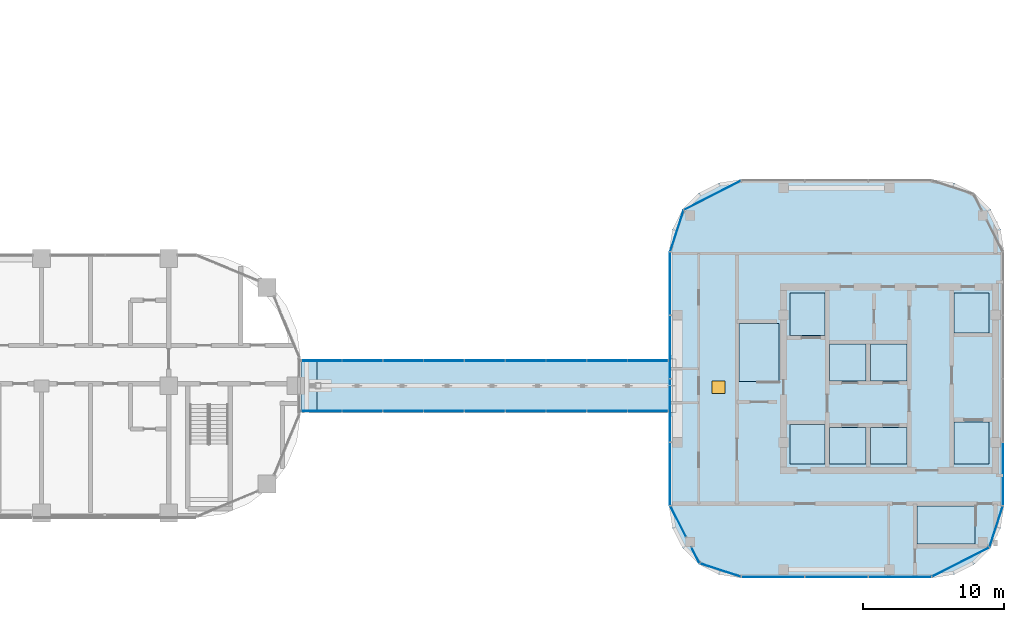
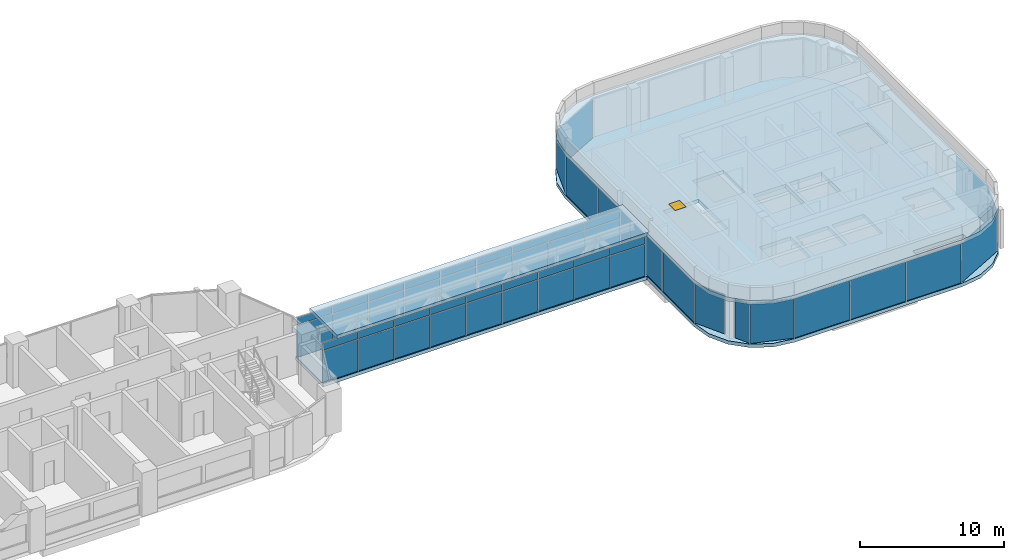
# One storey, part 16 of 33: 51 plates, 4 slabs, 1 window, 1 opening, 9 elements without a shape of their own.
"""IFC4 building model written with IfcOpenShell, lengths in metres."""

from ifc_helpers import new_model, si_unit, direction, frame, origin, origin_2d, place, context, subcontext, project, spatial, polyline, rectangle, outline, extrude, material, layer, layer_set, type_object, element, fill, aggregate, save


model = new_model("IFC4")

# Units and contexts
model_context = context("Model", 3, precision=1e-05, world=origin(), true_north=direction((0.0, 1.0)))
body_context = subcontext(model_context, "Body", "Model", "MODEL_VIEW")
ifc_project = project(units=[si_unit("LENGTHUNIT", "METRE"), si_unit("AREAUNIT", "SQUARE_METRE"), si_unit("VOLUMEUNIT", "CUBIC_METRE"), si_unit("PLANEANGLEUNIT", "RADIAN"), si_unit("MASSUNIT", "GRAM", prefix="KILO")], contexts=[model_context])

# Site, building, storey
site_placement = place(None, origin())
site = spatial("IfcSite", under=ifc_project, at=site_placement, CompositionType="ELEMENT")
building_placement = place(site_placement, origin())
building = spatial("IfcBuilding", under=site, at=building_placement, Name="Ogive Portal Towers", CompositionType="ELEMENT")
storey_placement = place(building_placement, frame((0.0, 0.0, 101.89990234375)))
storey = spatial("IfcBuildingStorey", under=building, at=storey_placement, Name="L24", CompositionType="ELEMENT", Elevation=101.89990234375)

# Curtain wall, plates
ifc_material_1 = material(Name="Glass, clear low-iron insulated glazing", Category="glass")
curtain_wall_type_1 = type_object("IfcCurtainWallType", Name="CW RESIDENCES RIBBON", PredefinedType="NOTDEFINED", material=ifc_material_1)
curtain_wall_1_placement = place(storey_placement, origin())
curtain_wall_1 = element("IfcCurtainWall", 1, at=curtain_wall_1_placement, inside=storey, type_object=curtain_wall_type_1, Name="B:L24:f02:cw0", PredefinedType="NOTDEFINED")
ifc_layer_1 = layer(ifc_material_1, 0.028076171875)
ifc_layer_set_1 = layer_set([ifc_layer_1], Name="CW PANEL IGU 28")
plate_type_1 = type_object("IfcPlateType", Name="CW PANEL IGU 28", PredefinedType="CURTAIN_PANEL", material=ifc_layer_set_1)
plate_1_placement = place(storey_placement, frame((128.25634765625, 16.97998046875, 0.0), z_axis=(0.0, 0.0, 1.0), x_axis=(1.0, 0.0, 0.0)))
plate_1 = element("IfcPlate", 2, at=plate_1_placement, type_object=plate_type_1, Name="panel", PredefinedType="CURTAIN_PANEL", context=body_context, shape_type="SweptSolid", body=[
    extrude(rectangle(XDim=4.42724609375, YDim=0.028076171875, at=origin_2d()), origin(), (0.0, 0.0, 1.0), 3.340087890625),
])
plate_2_placement = place(storey_placement, frame((132.75, 16.97998046875, 0.0), z_axis=(0.0, 0.0, 1.0), x_axis=(1.0, 0.0, 0.0)))
plate_2 = element("IfcPlate", 3, at=plate_2_placement, type_object=plate_type_1, Name="panel", PredefinedType="CURTAIN_PANEL", context=body_context, shape_type="SweptSolid", body=[
    extrude(rectangle(XDim=4.43994140625, YDim=0.028076171875, at=origin_2d()), origin(), (0.0, 0.0, 1.0), 3.340087890625),
])
plate_3_placement = place(storey_placement, frame((137.240478515625, 16.97998046875, 0.0), z_axis=(0.0, 0.0, 1.0), x_axis=(1.0, 0.0, 0.0)))
plate_3 = element("IfcPlate", 4, at=plate_3_placement, type_object=plate_type_1, Name="panel", PredefinedType="CURTAIN_PANEL", context=body_context, shape_type="SweptSolid", body=[
    extrude(rectangle(XDim=4.4208984375, YDim=0.028076171875, at=origin_2d()), origin(), (0.0, 0.0, 1.0), 3.340087890625),
])
aggregate(curtain_wall_1, [plate_1, plate_2, plate_3])

# Curtain wall, plate
curtain_wall_2_placement = place(storey_placement, origin())
curtain_wall_2 = element("IfcCurtainWall", 5, at=curtain_wall_2_placement, inside=storey, type_object=curtain_wall_type_1, Name="B:L24:f05:cw0", PredefinedType="NOTDEFINED")
plate_4_placement = place(storey_placement, frame((144.52001953125, 24.25634765625, 0.0), z_axis=(0.0, 0.0, 1.0), x_axis=(0.0, 1.0, 0.0)))
plate_4 = element("IfcPlate", 6, at=plate_4_placement, type_object=plate_type_1, Name="panel", PredefinedType="CURTAIN_PANEL", context=body_context, shape_type="SweptSolid", body=[
    extrude(rectangle(XDim=4.42724609375, YDim=0.028076171875, at=origin_2d()), origin(), (0.0, 0.0, 1.0), 3.340087890625),
])
aggregate(curtain_wall_2, [plate_4])

# Curtain wall, plates
curtain_wall_3_placement = place(storey_placement, origin())
curtain_wall_3 = element("IfcCurtainWall", 7, at=curtain_wall_3_placement, inside=storey, type_object=curtain_wall_type_1, Name="B:L24:f11:cw0", PredefinedType="NOTDEFINED")
plate_5_placement = place(storey_placement, frame((120.97998046875, 37.74365234375, 0.0), z_axis=(0.0, 0.0, 1.0), x_axis=(0.0, -1.0, 0.0)))
plate_5 = element("IfcPlate", 8, at=plate_5_placement, type_object=plate_type_1, Name="panel", PredefinedType="CURTAIN_PANEL", context=body_context, shape_type="SweptSolid", body=[
    extrude(rectangle(XDim=4.42724609375, YDim=0.028076171875, at=origin_2d()), origin(), (0.0, 0.0, 1.0), 3.340087890625),
])
plate_6_placement = place(storey_placement, frame((120.97998046875, 33.25, 0.0), z_axis=(0.0, 0.0, 1.0), x_axis=(0.0, -1.0, 0.0)))
plate_6 = element("IfcPlate", 9, at=plate_6_placement, type_object=plate_type_1, Name="panel", PredefinedType="CURTAIN_PANEL", context=body_context, shape_type="SweptSolid", body=[
    extrude(rectangle(XDim=4.43994140625, YDim=0.028076171875, at=origin_2d()), origin(), (0.0, 0.0, 1.0), 3.340087890625),
])
plate_7_placement = place(storey_placement, frame((120.97998046875, 28.75, 0.0), z_axis=(0.0, 0.0, 1.0), x_axis=(0.0, -1.0, 0.0)))
plate_7 = element("IfcPlate", 10, at=plate_7_placement, type_object=plate_type_1, Name="panel", PredefinedType="CURTAIN_PANEL", context=body_context, shape_type="SweptSolid", body=[
    extrude(rectangle(XDim=4.43994140625, YDim=0.028076171875, at=origin_2d()), origin(), (0.0, 0.0, 1.0), 3.340087890625),
])
plate_8_placement = place(storey_placement, frame((120.97998046875, 24.259521484375, 0.0), z_axis=(0.0, 0.0, 1.0), x_axis=(0.0, -1.0, 0.0)))
plate_8 = element("IfcPlate", 11, at=plate_8_placement, type_object=plate_type_1, Name="panel", PredefinedType="CURTAIN_PANEL", context=body_context, shape_type="SweptSolid", body=[
    extrude(rectangle(XDim=4.4208984375, YDim=0.028076171875, at=origin_2d()), origin(), (0.0, 0.0, 1.0), 3.340087890625),
])
aggregate(curtain_wall_3, [plate_5, plate_6, plate_7, plate_8])

# Curtain wall, plate
curtain_wall_4_placement = place(storey_placement, origin())
curtain_wall_4 = element("IfcCurtainWall", 12, at=curtain_wall_4_placement, inside=storey, type_object=curtain_wall_type_1, Name="B:L24:f00:cwa~0", PredefinedType="NOTDEFINED")
plate_9_placement = place(storey_placement, frame((121.54736328125, 20.905517578125, 0.0), z_axis=(0.0, 0.0, 1.0), x_axis=(0.45399049974, -0.891006524188, 0.0)))
plate_9 = element("IfcPlate", 13, at=plate_9_placement, type_object=plate_type_1, Name="panel", PredefinedType="CURTAIN_PANEL", context=body_context, shape_type="SweptSolid", body=[
    extrude(rectangle(XDim=2.439697265625, YDim=0.028076171875, at=origin_2d()), origin(), (0.0, 0.0, 1.0), 3.340087890625),
])
aggregate(curtain_wall_4, [plate_9])

# Curtain wall, plates
curtain_wall_5_placement = place(storey_placement, origin())
curtain_wall_5 = element("IfcCurtainWall", 14, at=curtain_wall_5_placement, inside=storey, type_object=curtain_wall_type_1, Name="B:L24:f00:cwa~1", PredefinedType="NOTDEFINED")
plate_10_placement = place(storey_placement, frame((122.764892578125, 18.515869140625, 0.0), z_axis=(0.0, 0.0, 1.0), x_axis=(0.45399049974, -0.891006524188, 0.0)))
plate_10 = element("IfcPlate", 15, at=plate_10_placement, type_object=plate_type_1, Name="panel", PredefinedType="CURTAIN_PANEL", context=body_context, shape_type="SweptSolid", body=[
    extrude(rectangle(XDim=1.233154296875, YDim=0.028076171875, at=origin_2d()), origin(), (0.0, 0.0, 1.0), 3.340087890625),
])
plate_11_placement = place(storey_placement, frame((124.53564453125, 17.4599609375, 0.0), z_axis=(0.0, 0.0, 1.0), x_axis=(0.951056516295, -0.309016994375, 0.0)))
plate_11 = element("IfcPlate", 16, at=plate_11_placement, type_object=plate_type_1, Name="panel", PredefinedType="CURTAIN_PANEL", context=body_context, shape_type="SweptSolid", body=[
    extrude(rectangle(XDim=3.046142578125, YDim=0.028076171875, at=origin_2d()), origin(), (0.0, 0.0, 1.0), 3.340087890625),
])
aggregate(curtain_wall_5, [plate_10, plate_11])

curtain_wall_6_placement = place(storey_placement, origin())
curtain_wall_6 = element("IfcCurtainWall", 17, at=curtain_wall_6_placement, inside=storey, type_object=curtain_wall_type_1, Name="B:L24:f03:cwa", PredefinedType="NOTDEFINED")
plate_12_placement = place(storey_placement, frame((141.5205078125, 18.019287109375, 0.0), z_axis=(0.0, 0.0, 1.0), x_axis=(0.891006524188, 0.45399049974, 0.0)))
plate_12 = element("IfcPlate", 18, at=plate_12_placement, type_object=plate_type_1, Name="panel", PredefinedType="CURTAIN_PANEL", context=body_context, shape_type="SweptSolid", body=[
    extrude(rectangle(XDim=4.518310546875, YDim=0.028076171875, at=origin_2d()), origin(), (0.0, 0.0, 1.0), 3.340087890625),
])
plate_13_placement = place(storey_placement, frame((144.0400390625, 20.53564453125, 0.0), z_axis=(0.0, 0.0, 1.0), x_axis=(0.309016994375, 0.951056516295, 0.0)))
plate_13 = element("IfcPlate", 19, at=plate_13_placement, type_object=plate_type_1, Name="panel", PredefinedType="CURTAIN_PANEL", context=body_context, shape_type="SweptSolid", body=[
    extrude(rectangle(XDim=3.046142578125, YDim=0.028076171875, at=origin_2d()), origin(), (0.0, 0.0, 1.0), 3.340087890625),
])
aggregate(curtain_wall_6, [plate_12, plate_13])

curtain_wall_7_placement = place(storey_placement, origin())
curtain_wall_7 = element("IfcCurtainWall", 20, at=curtain_wall_7_placement, inside=storey, type_object=curtain_wall_type_1, Name="B:L24:f09:cwa", PredefinedType="NOTDEFINED")
plate_14_placement = place(storey_placement, frame((123.9794921875, 43.980712890625, 0.0), z_axis=(0.0, 0.0, 1.0), x_axis=(-0.891006524188, -0.45399049974, 0.0)))
plate_14 = element("IfcPlate", 21, at=plate_14_placement, type_object=plate_type_1, Name="panel", PredefinedType="CURTAIN_PANEL", context=body_context, shape_type="SweptSolid", body=[
    extrude(rectangle(XDim=4.518310546875, YDim=0.028076171875, at=origin_2d()), origin(), (0.0, 0.0, 1.0), 3.340087890625),
])
plate_15_placement = place(storey_placement, frame((121.4599609375, 41.46435546875, 0.0), z_axis=(0.0, 0.0, 1.0), x_axis=(-0.309016994375, -0.951056516295, 0.0)))
plate_15 = element("IfcPlate", 22, at=plate_15_placement, type_object=plate_type_1, Name="panel", PredefinedType="CURTAIN_PANEL", context=body_context, shape_type="SweptSolid", body=[
    extrude(rectangle(XDim=3.046142578125, YDim=0.028076171875, at=origin_2d()), origin(), (0.0, 0.0, 1.0), 3.340087890625),
])
aggregate(curtain_wall_7, [plate_14, plate_15])

curtain_wall_type_2 = type_object("IfcCurtainWallType", Name="CW GLASS CORRIDOR", PredefinedType="NOTDEFINED", material=ifc_material_1)
curtain_wall_8_placement = place(storey_placement, origin())
curtain_wall_8 = element("IfcCurtainWall", 23, at=curtain_wall_8_placement, inside=storey, type_object=curtain_wall_type_2, Name="A:L24:glasscorr:s", PredefinedType="NOTDEFINED")
plate_16_placement = place(storey_placement, frame((96.313232421875, 28.719970703125, 2.72998046875), z_axis=(0.0, 0.0, 1.0), x_axis=(1.0, 0.0, 0.0)))
plate_16 = element("IfcPlate", 24, at=plate_16_placement, type_object=plate_type_1, Name="panel", PredefinedType="CURTAIN_PANEL", context=body_context, shape_type="SweptSolid", body=[
    extrude(rectangle(XDim=2.82666015625, YDim=0.028076171875, at=origin_2d()), origin(), (0.0, 0.0, 1.0), 0.610107421875),
])
plate_17_placement = place(storey_placement, frame((102.086669921875, 28.719970703125, 2.72998046875), z_axis=(0.0, 0.0, 1.0), x_axis=(1.0, 0.0, 0.0)))
plate_17 = element("IfcPlate", 25, at=plate_17_placement, type_object=plate_type_1, Name="panel", PredefinedType="CURTAIN_PANEL", context=body_context, shape_type="SweptSolid", body=[
    extrude(rectangle(XDim=2.82666015625, YDim=0.028076171875, at=origin_2d()), origin(), (0.0, 0.0, 1.0), 0.610107421875),
])
plate_18_placement = place(storey_placement, frame((107.860107421875, 28.719970703125, 2.72998046875), z_axis=(0.0, 0.0, 1.0), x_axis=(1.0, 0.0, 0.0)))
plate_18 = element("IfcPlate", 26, at=plate_18_placement, type_object=plate_type_1, Name="panel", PredefinedType="CURTAIN_PANEL", context=body_context, shape_type="SweptSolid", body=[
    extrude(rectangle(XDim=2.82666015625, YDim=0.028076171875, at=origin_2d()), origin(), (0.0, 0.0, 1.0), 0.610107421875),
])
plate_19_placement = place(storey_placement, frame((113.63330078125, 28.719970703125, 2.72998046875), z_axis=(0.0, 0.0, 1.0), x_axis=(1.0, 0.0, 0.0)))
plate_19 = element("IfcPlate", 27, at=plate_19_placement, type_object=plate_type_1, Name="panel", PredefinedType="CURTAIN_PANEL", context=body_context, shape_type="SweptSolid", body=[
    extrude(rectangle(XDim=2.82666015625, YDim=0.028076171875, at=origin_2d()), origin(), (0.0, 0.0, 1.0), 0.610107421875),
])

curtain_wall_9_placement = place(storey_placement, origin())
curtain_wall_9 = element("IfcCurtainWall", 28, at=curtain_wall_9_placement, inside=storey, type_object=curtain_wall_type_2, Name="A:L24:glasscorr:n", PredefinedType="NOTDEFINED")
plate_20_placement = place(storey_placement, frame((96.313232421875, 32.280029296875, 2.72998046875), z_axis=(0.0, 0.0, 1.0), x_axis=(1.0, 0.0, 0.0)))
plate_20 = element("IfcPlate", 29, at=plate_20_placement, type_object=plate_type_1, Name="panel", PredefinedType="CURTAIN_PANEL", context=body_context, shape_type="SweptSolid", body=[
    extrude(rectangle(XDim=2.82666015625, YDim=0.028076171875, at=origin_2d()), origin(), (0.0, 0.0, 1.0), 0.610107421875),
])
plate_21_placement = place(storey_placement, frame((102.086669921875, 32.280029296875, 2.72998046875), z_axis=(0.0, 0.0, 1.0), x_axis=(1.0, 0.0, 0.0)))
plate_21 = element("IfcPlate", 30, at=plate_21_placement, type_object=plate_type_1, Name="panel", PredefinedType="CURTAIN_PANEL", context=body_context, shape_type="SweptSolid", body=[
    extrude(rectangle(XDim=2.82666015625, YDim=0.028076171875, at=origin_2d()), origin(), (0.0, 0.0, 1.0), 0.610107421875),
])
plate_22_placement = place(storey_placement, frame((107.860107421875, 32.280029296875, 2.72998046875), z_axis=(0.0, 0.0, 1.0), x_axis=(1.0, 0.0, 0.0)))
plate_22 = element("IfcPlate", 31, at=plate_22_placement, type_object=plate_type_1, Name="panel", PredefinedType="CURTAIN_PANEL", context=body_context, shape_type="SweptSolid", body=[
    extrude(rectangle(XDim=2.82666015625, YDim=0.028076171875, at=origin_2d()), origin(), (0.0, 0.0, 1.0), 0.610107421875),
])
plate_23_placement = place(storey_placement, frame((113.63330078125, 32.280029296875, 2.72998046875), z_axis=(0.0, 0.0, 1.0), x_axis=(1.0, 0.0, 0.0)))
plate_23 = element("IfcPlate", 32, at=plate_23_placement, type_object=plate_type_1, Name="panel", PredefinedType="CURTAIN_PANEL", context=body_context, shape_type="SweptSolid", body=[
    extrude(rectangle(XDim=2.82666015625, YDim=0.028076171875, at=origin_2d()), origin(), (0.0, 0.0, 1.0), 0.610107421875),
])

# Plate
ifc_material_2 = material(Name="Aluminium composite spandrel panel, insulated", Category="aluminium")
ifc_layer_2 = layer(ifc_material_2, 0.06005859375)
ifc_layer_set_2 = layer_set([ifc_layer_2], Name="CW PANEL SPANDREL 60")
plate_type_2 = type_object("IfcPlateType", Name="CW PANEL SPANDREL 60", PredefinedType="CURTAIN_PANEL", material=ifc_layer_set_2)
plate_24_placement = place(storey_placement, frame((96.313232421875, 28.719970703125, 0.000244140625), z_axis=(0.0, 0.0, 1.0), x_axis=(1.0, 0.0, 0.0)))
plate_24 = element("IfcPlate", 33, at=plate_24_placement, type_object=plate_type_2, Name="spandrel panel", PredefinedType="CURTAIN_PANEL", context=body_context, shape_type="SweptSolid", body=[
    extrude(rectangle(XDim=2.82666015625, YDim=0.06005859375, at=origin_2d()), origin(), (0.0, 0.0, 1.0), 2.669921875),
])

plate_25_placement = place(storey_placement, frame((99.199951171875, 28.719970703125, 0.000244140625), z_axis=(0.0, 0.0, 1.0), x_axis=(1.0, 0.0, 0.0)))
plate_25 = element("IfcPlate", 34, at=plate_25_placement, type_object=plate_type_2, Name="spandrel panel", PredefinedType="CURTAIN_PANEL", context=body_context, shape_type="SweptSolid", body=[
    extrude(rectangle(XDim=2.82666015625, YDim=0.06005859375, at=origin_2d()), origin(), (0.0, 0.0, 1.0), 2.669921875),
])

plate_26_placement = place(storey_placement, frame((99.199951171875, 28.719970703125, 2.72998046875), z_axis=(0.0, 0.0, 1.0), x_axis=(1.0, 0.0, 0.0)))
plate_26 = element("IfcPlate", 35, at=plate_26_placement, type_object=plate_type_2, Name="spandrel panel", PredefinedType="CURTAIN_PANEL", context=body_context, shape_type="SweptSolid", body=[
    extrude(rectangle(XDim=2.82666015625, YDim=0.06005859375, at=origin_2d()), origin(), (0.0, 0.0, 1.0), 0.610107421875),
])

plate_27_placement = place(storey_placement, frame((102.086669921875, 28.719970703125, 0.000244140625), z_axis=(0.0, 0.0, 1.0), x_axis=(1.0, 0.0, 0.0)))
plate_27 = element("IfcPlate", 36, at=plate_27_placement, type_object=plate_type_2, Name="spandrel panel", PredefinedType="CURTAIN_PANEL", context=body_context, shape_type="SweptSolid", body=[
    extrude(rectangle(XDim=2.82666015625, YDim=0.06005859375, at=origin_2d()), origin(), (0.0, 0.0, 1.0), 2.669921875),
])

plate_28_placement = place(storey_placement, frame((104.973388671875, 28.719970703125, 0.000244140625), z_axis=(0.0, 0.0, 1.0), x_axis=(1.0, 0.0, 0.0)))
plate_28 = element("IfcPlate", 37, at=plate_28_placement, type_object=plate_type_2, Name="spandrel panel", PredefinedType="CURTAIN_PANEL", context=body_context, shape_type="SweptSolid", body=[
    extrude(rectangle(XDim=2.82666015625, YDim=0.06005859375, at=origin_2d()), origin(), (0.0, 0.0, 1.0), 2.669921875),
])

plate_29_placement = place(storey_placement, frame((104.973388671875, 28.719970703125, 2.72998046875), z_axis=(0.0, 0.0, 1.0), x_axis=(1.0, 0.0, 0.0)))
plate_29 = element("IfcPlate", 38, at=plate_29_placement, type_object=plate_type_2, Name="spandrel panel", PredefinedType="CURTAIN_PANEL", context=body_context, shape_type="SweptSolid", body=[
    extrude(rectangle(XDim=2.82666015625, YDim=0.06005859375, at=origin_2d()), origin(), (0.0, 0.0, 1.0), 0.610107421875),
])

plate_30_placement = place(storey_placement, frame((107.860107421875, 28.719970703125, 0.000244140625), z_axis=(0.0, 0.0, 1.0), x_axis=(1.0, 0.0, 0.0)))
plate_30 = element("IfcPlate", 39, at=plate_30_placement, type_object=plate_type_2, Name="spandrel panel", PredefinedType="CURTAIN_PANEL", context=body_context, shape_type="SweptSolid", body=[
    extrude(rectangle(XDim=2.82666015625, YDim=0.06005859375, at=origin_2d()), origin(), (0.0, 0.0, 1.0), 2.669921875),
])

plate_31_placement = place(storey_placement, frame((110.74658203125, 28.719970703125, 0.000244140625), z_axis=(0.0, 0.0, 1.0), x_axis=(1.0, 0.0, 0.0)))
plate_31 = element("IfcPlate", 40, at=plate_31_placement, type_object=plate_type_2, Name="spandrel panel", PredefinedType="CURTAIN_PANEL", context=body_context, shape_type="SweptSolid", body=[
    extrude(rectangle(XDim=2.82666015625, YDim=0.06005859375, at=origin_2d()), origin(), (0.0, 0.0, 1.0), 2.669921875),
])

plate_32_placement = place(storey_placement, frame((110.74658203125, 28.719970703125, 2.72998046875), z_axis=(0.0, 0.0, 1.0), x_axis=(1.0, 0.0, 0.0)))
plate_32 = element("IfcPlate", 41, at=plate_32_placement, type_object=plate_type_2, Name="spandrel panel", PredefinedType="CURTAIN_PANEL", context=body_context, shape_type="SweptSolid", body=[
    extrude(rectangle(XDim=2.82666015625, YDim=0.06005859375, at=origin_2d()), origin(), (0.0, 0.0, 1.0), 0.610107421875),
])

plate_33_placement = place(storey_placement, frame((113.63330078125, 28.719970703125, 0.000244140625), z_axis=(0.0, 0.0, 1.0), x_axis=(1.0, 0.0, 0.0)))
plate_33 = element("IfcPlate", 42, at=plate_33_placement, type_object=plate_type_2, Name="spandrel panel", PredefinedType="CURTAIN_PANEL", context=body_context, shape_type="SweptSolid", body=[
    extrude(rectangle(XDim=2.82666015625, YDim=0.06005859375, at=origin_2d()), origin(), (0.0, 0.0, 1.0), 2.669921875),
])

plate_34_placement = place(storey_placement, frame((116.52001953125, 28.719970703125, 0.000244140625), z_axis=(0.0, 0.0, 1.0), x_axis=(1.0, 0.0, 0.0)))
plate_34 = element("IfcPlate", 43, at=plate_34_placement, type_object=plate_type_2, Name="spandrel panel", PredefinedType="CURTAIN_PANEL", context=body_context, shape_type="SweptSolid", body=[
    extrude(rectangle(XDim=2.82666015625, YDim=0.06005859375, at=origin_2d()), origin(), (0.0, 0.0, 1.0), 2.669921875),
])

plate_35_placement = place(storey_placement, frame((116.52001953125, 28.719970703125, 2.72998046875), z_axis=(0.0, 0.0, 1.0), x_axis=(1.0, 0.0, 0.0)))
plate_35 = element("IfcPlate", 44, at=plate_35_placement, type_object=plate_type_2, Name="spandrel panel", PredefinedType="CURTAIN_PANEL", context=body_context, shape_type="SweptSolid", body=[
    extrude(rectangle(XDim=2.82666015625, YDim=0.06005859375, at=origin_2d()), origin(), (0.0, 0.0, 1.0), 0.610107421875),
])

plate_36_placement = place(storey_placement, frame((119.40673828125, 28.719970703125, 0.000244140625), z_axis=(0.0, 0.0, 1.0), x_axis=(1.0, 0.0, 0.0)))
plate_36 = element("IfcPlate", 45, at=plate_36_placement, type_object=plate_type_2, Name="spandrel panel", PredefinedType="CURTAIN_PANEL", context=body_context, shape_type="SweptSolid", body=[
    extrude(rectangle(XDim=2.82666015625, YDim=0.06005859375, at=origin_2d()), origin(), (0.0, 0.0, 1.0), 2.669921875),
])

plate_37_placement = place(storey_placement, frame((119.40673828125, 28.719970703125, 2.72998046875), z_axis=(0.0, 0.0, 1.0), x_axis=(1.0, 0.0, 0.0)))
plate_37 = element("IfcPlate", 46, at=plate_37_placement, type_object=plate_type_2, Name="spandrel panel", PredefinedType="CURTAIN_PANEL", context=body_context, shape_type="SweptSolid", body=[
    extrude(rectangle(XDim=2.82666015625, YDim=0.06005859375, at=origin_2d()), origin(), (0.0, 0.0, 1.0), 0.610107421875),
])

aggregate(curtain_wall_8, [plate_24, plate_16, plate_25, plate_26, plate_27, plate_17, plate_28, plate_29, plate_30, plate_18, plate_31, plate_32, plate_33, plate_19, plate_34, plate_35, plate_36, plate_37])

plate_38_placement = place(storey_placement, frame((96.313232421875, 32.280029296875, 0.000244140625), z_axis=(0.0, 0.0, 1.0), x_axis=(1.0, 0.0, 0.0)))
plate_38 = element("IfcPlate", 47, at=plate_38_placement, type_object=plate_type_2, Name="spandrel panel", PredefinedType="CURTAIN_PANEL", context=body_context, shape_type="SweptSolid", body=[
    extrude(rectangle(XDim=2.82666015625, YDim=0.06005859375, at=origin_2d()), origin(), (0.0, 0.0, 1.0), 2.669921875),
])

plate_39_placement = place(storey_placement, frame((99.199951171875, 32.280029296875, 0.000244140625), z_axis=(0.0, 0.0, 1.0), x_axis=(1.0, 0.0, 0.0)))
plate_39 = element("IfcPlate", 48, at=plate_39_placement, type_object=plate_type_2, Name="spandrel panel", PredefinedType="CURTAIN_PANEL", context=body_context, shape_type="SweptSolid", body=[
    extrude(rectangle(XDim=2.82666015625, YDim=0.06005859375, at=origin_2d()), origin(), (0.0, 0.0, 1.0), 2.669921875),
])

plate_40_placement = place(storey_placement, frame((99.199951171875, 32.280029296875, 2.72998046875), z_axis=(0.0, 0.0, 1.0), x_axis=(1.0, 0.0, 0.0)))
plate_40 = element("IfcPlate", 49, at=plate_40_placement, type_object=plate_type_2, Name="spandrel panel", PredefinedType="CURTAIN_PANEL", context=body_context, shape_type="SweptSolid", body=[
    extrude(rectangle(XDim=2.82666015625, YDim=0.06005859375, at=origin_2d()), origin(), (0.0, 0.0, 1.0), 0.610107421875),
])

plate_41_placement = place(storey_placement, frame((102.086669921875, 32.280029296875, 0.000244140625), z_axis=(0.0, 0.0, 1.0), x_axis=(1.0, 0.0, 0.0)))
plate_41 = element("IfcPlate", 50, at=plate_41_placement, type_object=plate_type_2, Name="spandrel panel", PredefinedType="CURTAIN_PANEL", context=body_context, shape_type="SweptSolid", body=[
    extrude(rectangle(XDim=2.82666015625, YDim=0.06005859375, at=origin_2d()), origin(), (0.0, 0.0, 1.0), 2.669921875),
])

plate_42_placement = place(storey_placement, frame((104.973388671875, 32.280029296875, 0.000244140625), z_axis=(0.0, 0.0, 1.0), x_axis=(1.0, 0.0, 0.0)))
plate_42 = element("IfcPlate", 51, at=plate_42_placement, type_object=plate_type_2, Name="spandrel panel", PredefinedType="CURTAIN_PANEL", context=body_context, shape_type="SweptSolid", body=[
    extrude(rectangle(XDim=2.82666015625, YDim=0.06005859375, at=origin_2d()), origin(), (0.0, 0.0, 1.0), 2.669921875),
])

plate_43_placement = place(storey_placement, frame((104.973388671875, 32.280029296875, 2.72998046875), z_axis=(0.0, 0.0, 1.0), x_axis=(1.0, 0.0, 0.0)))
plate_43 = element("IfcPlate", 52, at=plate_43_placement, type_object=plate_type_2, Name="spandrel panel", PredefinedType="CURTAIN_PANEL", context=body_context, shape_type="SweptSolid", body=[
    extrude(rectangle(XDim=2.82666015625, YDim=0.06005859375, at=origin_2d()), origin(), (0.0, 0.0, 1.0), 0.610107421875),
])

plate_44_placement = place(storey_placement, frame((107.860107421875, 32.280029296875, 0.000244140625), z_axis=(0.0, 0.0, 1.0), x_axis=(1.0, 0.0, 0.0)))
plate_44 = element("IfcPlate", 53, at=plate_44_placement, type_object=plate_type_2, Name="spandrel panel", PredefinedType="CURTAIN_PANEL", context=body_context, shape_type="SweptSolid", body=[
    extrude(rectangle(XDim=2.82666015625, YDim=0.06005859375, at=origin_2d()), origin(), (0.0, 0.0, 1.0), 2.669921875),
])

plate_45_placement = place(storey_placement, frame((110.74658203125, 32.280029296875, 0.000244140625), z_axis=(0.0, 0.0, 1.0), x_axis=(1.0, 0.0, 0.0)))
plate_45 = element("IfcPlate", 54, at=plate_45_placement, type_object=plate_type_2, Name="spandrel panel", PredefinedType="CURTAIN_PANEL", context=body_context, shape_type="SweptSolid", body=[
    extrude(rectangle(XDim=2.82666015625, YDim=0.06005859375, at=origin_2d()), origin(), (0.0, 0.0, 1.0), 2.669921875),
])

plate_46_placement = place(storey_placement, frame((110.74658203125, 32.280029296875, 2.72998046875), z_axis=(0.0, 0.0, 1.0), x_axis=(1.0, 0.0, 0.0)))
plate_46 = element("IfcPlate", 55, at=plate_46_placement, type_object=plate_type_2, Name="spandrel panel", PredefinedType="CURTAIN_PANEL", context=body_context, shape_type="SweptSolid", body=[
    extrude(rectangle(XDim=2.82666015625, YDim=0.06005859375, at=origin_2d()), origin(), (0.0, 0.0, 1.0), 0.610107421875),
])

plate_47_placement = place(storey_placement, frame((113.63330078125, 32.280029296875, 0.000244140625), z_axis=(0.0, 0.0, 1.0), x_axis=(1.0, 0.0, 0.0)))
plate_47 = element("IfcPlate", 56, at=plate_47_placement, type_object=plate_type_2, Name="spandrel panel", PredefinedType="CURTAIN_PANEL", context=body_context, shape_type="SweptSolid", body=[
    extrude(rectangle(XDim=2.82666015625, YDim=0.06005859375, at=origin_2d()), origin(), (0.0, 0.0, 1.0), 2.669921875),
])

plate_48_placement = place(storey_placement, frame((116.52001953125, 32.280029296875, 0.000244140625), z_axis=(0.0, 0.0, 1.0), x_axis=(1.0, 0.0, 0.0)))
plate_48 = element("IfcPlate", 57, at=plate_48_placement, type_object=plate_type_2, Name="spandrel panel", PredefinedType="CURTAIN_PANEL", context=body_context, shape_type="SweptSolid", body=[
    extrude(rectangle(XDim=2.82666015625, YDim=0.06005859375, at=origin_2d()), origin(), (0.0, 0.0, 1.0), 2.669921875),
])

plate_49_placement = place(storey_placement, frame((116.52001953125, 32.280029296875, 2.72998046875), z_axis=(0.0, 0.0, 1.0), x_axis=(1.0, 0.0, 0.0)))
plate_49 = element("IfcPlate", 58, at=plate_49_placement, type_object=plate_type_2, Name="spandrel panel", PredefinedType="CURTAIN_PANEL", context=body_context, shape_type="SweptSolid", body=[
    extrude(rectangle(XDim=2.82666015625, YDim=0.06005859375, at=origin_2d()), origin(), (0.0, 0.0, 1.0), 0.610107421875),
])

plate_50_placement = place(storey_placement, frame((119.40673828125, 32.280029296875, 0.000244140625), z_axis=(0.0, 0.0, 1.0), x_axis=(1.0, 0.0, 0.0)))
plate_50 = element("IfcPlate", 59, at=plate_50_placement, type_object=plate_type_2, Name="spandrel panel", PredefinedType="CURTAIN_PANEL", context=body_context, shape_type="SweptSolid", body=[
    extrude(rectangle(XDim=2.82666015625, YDim=0.06005859375, at=origin_2d()), origin(), (0.0, 0.0, 1.0), 2.669921875),
])

plate_51_placement = place(storey_placement, frame((119.40673828125, 32.280029296875, 2.72998046875), z_axis=(0.0, 0.0, 1.0), x_axis=(1.0, 0.0, 0.0)))
plate_51 = element("IfcPlate", 60, at=plate_51_placement, type_object=plate_type_2, Name="spandrel panel", PredefinedType="CURTAIN_PANEL", context=body_context, shape_type="SweptSolid", body=[
    extrude(rectangle(XDim=2.82666015625, YDim=0.06005859375, at=origin_2d()), origin(), (0.0, 0.0, 1.0), 0.610107421875),
])

aggregate(curtain_wall_9, [plate_38, plate_20, plate_39, plate_40, plate_41, plate_21, plate_42, plate_43, plate_44, plate_22, plate_45, plate_46, plate_47, plate_23, plate_48, plate_49, plate_50, plate_51])

# Slabs
ifc_material_3 = material(Name="Concrete C45/55", Category="concrete")
ifc_layer_3 = layer(ifc_material_3, 0.300048828125)
ifc_layer_set_3 = layer_set([ifc_layer_3], Name="PT FLAT PLATE 300")
slab_type_1 = type_object("IfcSlabType", Name="PT FLAT PLATE 300", PredefinedType="FLOOR", material=ifc_layer_set_3)
slab_1_placement = place(storey_placement, frame((0.0, 0.0, -0.2998046875)))
element("IfcSlab", 61, at=slab_1_placement, inside=storey, type_object=slab_type_1, Name="Floor slab L24", PredefinedType="FLOOR", context=body_context, shape_type="SweptSolid", body=[
    extrude(outline(polyline([(120.89990234375, 40.0), (120.89990234375, 32.39990234375), (121.14990234375, 32.39990234375), (121.14990234375, 28.60009765625), (120.89990234375, 28.60009765625), (120.89990234375, 22.0), (121.149658203125, 20.424072265625), (121.8740234375, 19.002197265625), (123.002197265625, 17.8740234375), (124.424072265625, 17.149658203125), (126.0, 16.89990234375), (139.5, 16.89990234375), (141.075927734375, 17.149658203125), (142.497802734375, 17.8740234375), (143.6259765625, 19.002197265625), (144.350341796875, 20.424072265625), (144.60009765625, 22.0), (144.60009765625, 40.0), (144.350341796875, 41.575927734375), (143.6259765625, 42.997802734375), (142.497802734375, 44.1259765625), (141.075927734375, 44.850341796875), (139.5, 45.10009765625), (126.0, 45.10009765625), (124.424072265625, 44.850341796875), (123.002197265625, 44.1259765625), (121.8740234375, 42.997802734375), (121.149658203125, 41.575927734375), (120.89990234375, 40.0)]), holes=[polyline([(131.949951171875, 27.75), (131.949951171875, 24.949951171875), (129.449951171875, 24.949951171875), (129.449951171875, 27.75), (131.949951171875, 27.75)]), polyline([(128.697998046875, 34.89794921875), (128.697998046875, 30.802001953125), (125.85205078125, 30.802001953125), (125.85205078125, 34.89794921875), (128.697998046875, 34.89794921875)]), polyline([(131.949951171875, 37.050048828125), (131.949951171875, 34.050048828125), (129.449951171875, 34.050048828125), (129.449951171875, 37.050048828125), (131.949951171875, 37.050048828125)]), polyline([(138.451904296875, 21.998046875), (142.548095703125, 21.998046875), (142.548095703125, 19.302001953125), (138.451904296875, 19.302001953125), (138.451904296875, 21.998046875)]), polyline([(134.85009765625, 27.550048828125), (134.85009765625, 24.949951171875), (132.25, 24.949951171875), (132.25, 27.550048828125), (134.85009765625, 27.550048828125)]), polyline([(137.75, 27.550048828125), (137.75, 24.949951171875), (135.14990234375, 24.949951171875), (135.14990234375, 27.550048828125), (137.75, 27.550048828125)]), polyline([(143.550048828125, 27.949951171875), (143.550048828125, 24.949951171875), (141.050048828125, 24.949951171875), (141.050048828125, 27.949951171875), (143.550048828125, 27.949951171875)]), polyline([(134.85009765625, 33.449951171875), (134.85009765625, 30.85009765625), (132.25, 30.85009765625), (132.25, 33.449951171875), (134.85009765625, 33.449951171875)]), polyline([(137.75, 33.449951171875), (137.75, 30.85009765625), (135.14990234375, 30.85009765625), (135.14990234375, 33.449951171875), (137.75, 33.449951171875)]), polyline([(143.550048828125, 37.050048828125), (143.550048828125, 34.25), (141.050048828125, 34.25), (141.050048828125, 37.050048828125), (143.550048828125, 37.050048828125)])]), origin(), (0.0, 0.0, 1.0), 0.2998046875),
])
slab_2_placement = place(storey_placement, frame((0.0, 0.0, -0.2998046875)))
element("IfcSlab", 62, at=slab_2_placement, inside=storey, type_object=slab_type_1, Name="Glass corridor floor", PredefinedType="FLOOR", context=body_context, shape_type="SweptSolid", body=[
    extrude(outline(polyline([(121.14990234375, 28.60009765625), (121.14990234375, 32.39990234375), (94.8701171875, 32.39990234375), (94.8701171875, 28.60009765625), (121.14990234375, 28.60009765625)])), origin(), (0.0, 0.0, 1.0), 0.2998046875),
])
ifc_layer_4 = layer(ifc_material_3, 0.300048828125)
ifc_layer_set_4 = layer_set([ifc_layer_4], Name="PT ROOF SLAB 300")
slab_type_2 = type_object("IfcSlabType", Name="PT ROOF SLAB 300", PredefinedType="ROOF", material=ifc_layer_set_4)
slab_3_placement = place(storey_placement, frame((0.0, 0.0, 3.400146484375)))
element("IfcSlab", 63, at=slab_3_placement, inside=storey, type_object=slab_type_2, Name="Glass corridor roof", PredefinedType="ROOF", context=body_context, shape_type="SweptSolid", body=[
    extrude(outline(polyline([(121.14990234375, 32.39990234375), (96.0, 32.39990234375), (96.0, 28.60009765625), (121.14990234375, 28.60009765625), (121.14990234375, 32.39990234375)])), origin(), (0.0, 0.0, 1.0), 0.300048828125),
])

# Slab, opening, window
ifc_material_4 = material(Name="Concrete C40/50", Category="concrete")
ifc_layer_5 = layer(ifc_material_4, 0.35009765625)
ifc_layer_set_5 = layer_set([ifc_layer_5], Name="ROOF SLAB 350")
slab_type_3 = type_object("IfcSlabType", Name="ROOF SLAB 350", PredefinedType="ROOF", material=ifc_layer_set_5)
slab_4_placement = place(storey_placement, frame((0.0, 0.0, 3.35009765625)))
slab_4 = element("IfcSlab", 64, at=slab_4_placement, inside=storey, type_object=slab_type_3, Name="Residences roof", PredefinedType="ROOF", context=body_context, shape_type="SweptSolid", body=[
    extrude(outline(polyline([(120.89990234375, 40.0), (121.149658203125, 41.575927734375), (121.8740234375, 42.997802734375), (123.002197265625, 44.1259765625), (124.424072265625, 44.850341796875), (126.0, 45.10009765625), (139.5, 45.10009765625), (141.075927734375, 44.850341796875), (142.497802734375, 44.1259765625), (143.6259765625, 42.997802734375), (144.350341796875, 41.575927734375), (144.60009765625, 40.0), (144.60009765625, 22.0), (144.350341796875, 20.424072265625), (143.6259765625, 19.002197265625), (142.497802734375, 17.8740234375), (141.075927734375, 17.149658203125), (139.5, 16.89990234375), (126.0, 16.89990234375), (124.424072265625, 17.149658203125), (123.002197265625, 17.8740234375), (121.8740234375, 19.002197265625), (121.149658203125, 20.424072265625), (120.89990234375, 22.0), (120.89990234375, 28.60009765625), (121.14990234375, 28.60009765625), (121.14990234375, 32.39990234375), (120.89990234375, 32.39990234375), (120.89990234375, 40.0)])), origin(), (0.0, 0.0, 1.0), 0.35009765625),
])
opening_placement = place(slab_4_placement, frame((124.39990234375, 30.39990234375, 0.0)))
opening = element("IfcOpeningElement", 65, at=opening_placement, cuts=slab_4, Name="Opening RH1", PredefinedType="OPENING", context=body_context, shape_type="SweptSolid", body=[
    extrude(rectangle(XDim=0.89990234375, YDim=0.89990234375, at=origin_2d()), origin(), (0.0, 0.0, 1.0), 0.35009765625),
])
ifc_material_5 = material(Name="Aluminium 6063 anodised", Category="aluminium")
window_type = type_object("IfcWindowType", Name="ROOF HATCH 900x900", PartitioningType="SINGLE_PANEL", PredefinedType="SKYLIGHT", material=ifc_material_5)
window_placement = place(opening_placement, frame((0.0, 0.0, 0.300048828125)))
window = element("IfcWindow", 66, at=window_placement, inside=storey, type_object=window_type, Name="Roof access hatch", OverallHeight=0.89990234375, OverallWidth=0.89990234375, PartitioningType="SINGLE_PANEL", PredefinedType="SKYLIGHT", context=body_context, shape_type="SweptSolid", body=[
    extrude(rectangle(XDim=0.89990234375, YDim=0.89990234375, at=origin_2d()), origin(), (0.0, 0.0, 1.0), 0.050048828125),
])
fill(opening, window)

save(model, "model.ifc")
